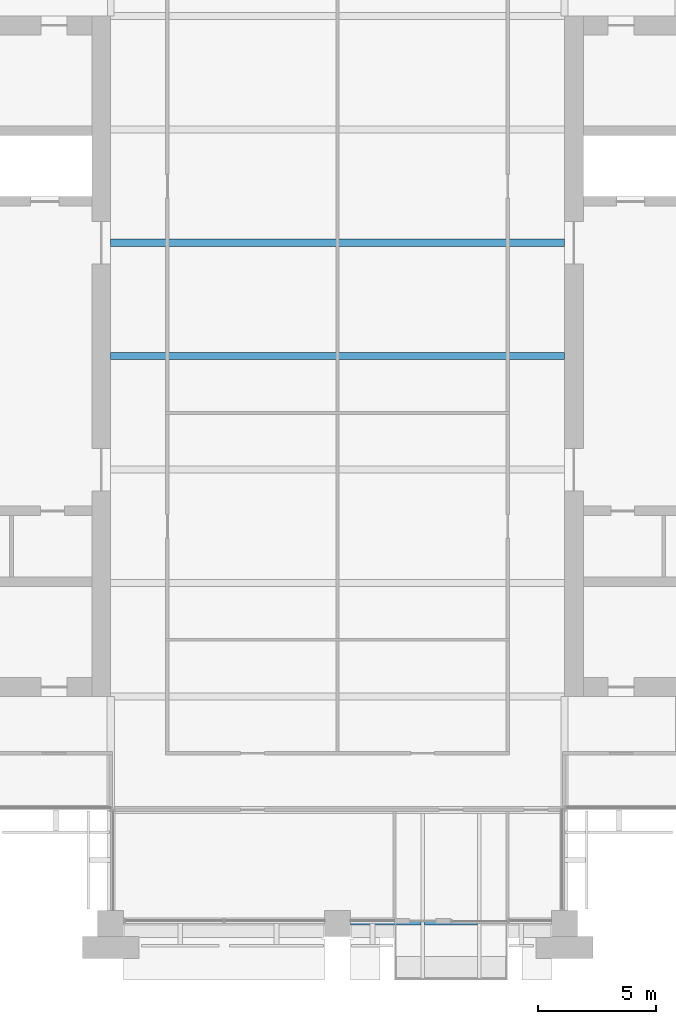
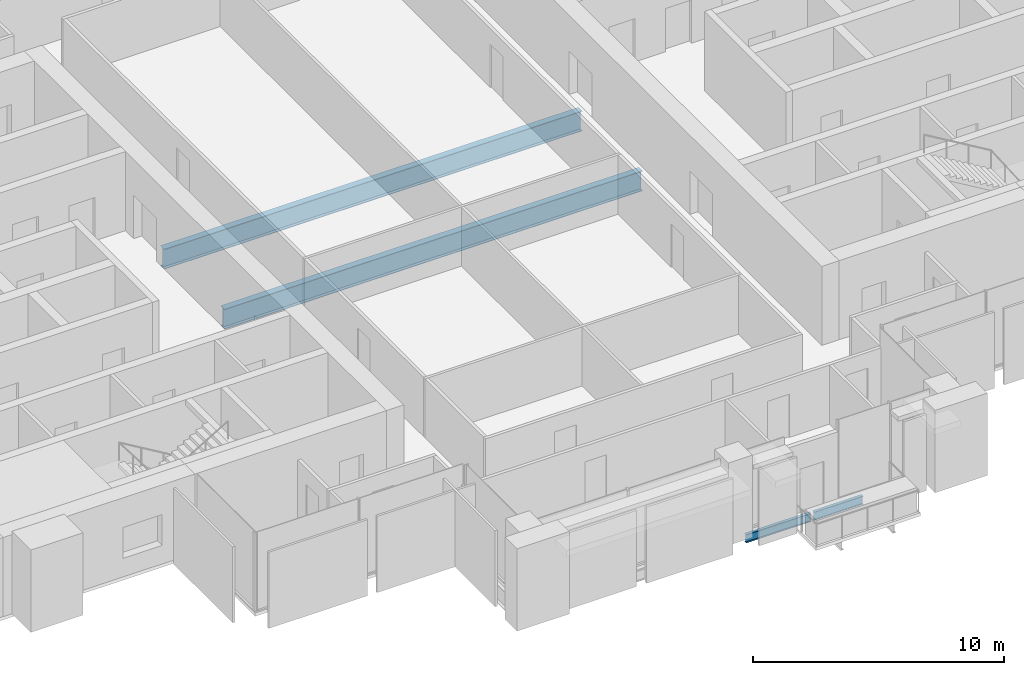
# One storey, part 3 of 14: 4 beams.
"""IFC4 building model written with IfcOpenShell, lengths in metres."""

from ifc_helpers import new_model, si_unit, direction, frame, origin, origin_2d, place, context, subcontext, project, spatial, i_section, extrude, material, material_profile, profile_set, type_object, element, save


model = new_model("IFC4")

# Units and contexts
model_context = context("Model", 3, precision=1e-05, world=origin(), true_north=direction((0.0, 1.0)))
body_context = subcontext(model_context, "Body", "Model", "MODEL_VIEW")
ifc_project = project(units=[si_unit("LENGTHUNIT", "METRE"), si_unit("AREAUNIT", "SQUARE_METRE"), si_unit("VOLUMEUNIT", "CUBIC_METRE"), si_unit("PLANEANGLEUNIT", "RADIAN"), si_unit("MASSUNIT", "GRAM", prefix="KILO")], contexts=[model_context])

# Site, building, storey
site_placement = place(None, origin())
site = spatial("IfcSite", under=ifc_project, at=site_placement, CompositionType="ELEMENT")
building_placement = place(site_placement, origin())
building = spatial("IfcBuilding", under=site, at=building_placement, Name="Baori Bourse Tower", CompositionType="ELEMENT")
storey_placement = place(building_placement, frame((0.0, 0.0, 197.199951171875)))
storey = spatial("IfcBuildingStorey", under=building, at=storey_placement, Name="L42", CompositionType="ELEMENT", Elevation=197.199951171875)

# Beams
ifc_material_1 = material(Name="Steel A992 Gr 50", Category="steel")
ifc_material_profile_1 = material_profile(ifc_material_1, i_section(OverallWidth=0.140380859375, OverallDepth=0.40380859375, WebThickness=0.007080078125, FlangeThickness=0.01123046875, at=origin_2d()), Name="W16x31")
ifc_profile_set_1 = profile_set([ifc_material_profile_1], Name="Steel A992 Gr 50")
beam_type_1 = type_object("IfcBeamType", Name="Edge beam W16x31", PredefinedType="BEAM", material=ifc_profile_set_1)
beam_1_placement = place(storey_placement, frame((29.35009765625, 0.0, -0.36181640625), z_axis=(1.0, 0.0, 0.0), x_axis=(0.0, 1.0, 0.0)))
element("IfcBeam", 1, at=beam_1_placement, inside=storey, type_object=beam_type_1, Name="Edge beam L42", PredefinedType="BEAM", context=body_context, shape_type="SweptSolid", body=[
    extrude(i_section(OverallWidth=0.140380859375, OverallDepth=0.40380859375, WebThickness=0.007080078125, FlangeThickness=0.01123046875, at=origin_2d()), origin(), (0.0, 0.0, 1.0), 2.979736328125),
])
beam_2_placement = place(storey_placement, frame((32.47021484375, 0.0, -0.36181640625), z_axis=(1.0, 0.0, 0.0), x_axis=(0.0, 1.0, 0.0)))
element("IfcBeam", 2, at=beam_2_placement, inside=storey, type_object=beam_type_1, Name="Edge beam L42", PredefinedType="BEAM", context=body_context, shape_type="SweptSolid", body=[
    extrude(i_section(OverallWidth=0.140380859375, OverallDepth=0.40380859375, WebThickness=0.007080078125, FlangeThickness=0.01123046875, at=origin_2d()), origin(), (0.0, 0.0, 1.0), 2.259521484375),
])
ifc_material_2 = material(Name="Steel A992 Gr 50", Category="steel")
ifc_material_profile_2 = material_profile(ifc_material_2, i_section(OverallWidth=0.2998046875, OverallDepth=0.97021484375, WebThickness=0.01611328125, FlangeThickness=0.02099609375, at=origin_2d()), Name="W40x149")
ifc_profile_set_2 = profile_set([ifc_material_profile_2], Name="Steel A992 Gr 50")
beam_type_2 = type_object("IfcBeamType", Name="Floor beam W40x149", PredefinedType="BEAM", material=ifc_profile_set_2)
for number, where, z_axis, x_axis, name in (
    (3, (19.199951171875, 24.0, -0.64501953125), (1.0, 0.0, 0.0), (0.0, 1.0, 0.0), "Floor beam L42"),
    (4, (19.199951171875, 28.800048828125, -0.64501953125), (1.0, 0.0, 0.0), (0.0, 1.0, 0.0), "Floor beam L42"),
):
    element("IfcBeam", number, at=place(storey_placement, frame(where, z_axis=z_axis, x_axis=x_axis)), inside=storey, type_object=beam_type_2, Name=name, PredefinedType="BEAM", context=body_context, shape_type="SweptSolid", body=[
        extrude(i_section(OverallWidth=0.2998046875, OverallDepth=0.97021484375, WebThickness=0.01611328125, FlangeThickness=0.02099609375, at=origin_2d()), origin(), (0.0, 0.0, 1.0), 19.199951171875),
    ])

save(model, "model.ifc")
